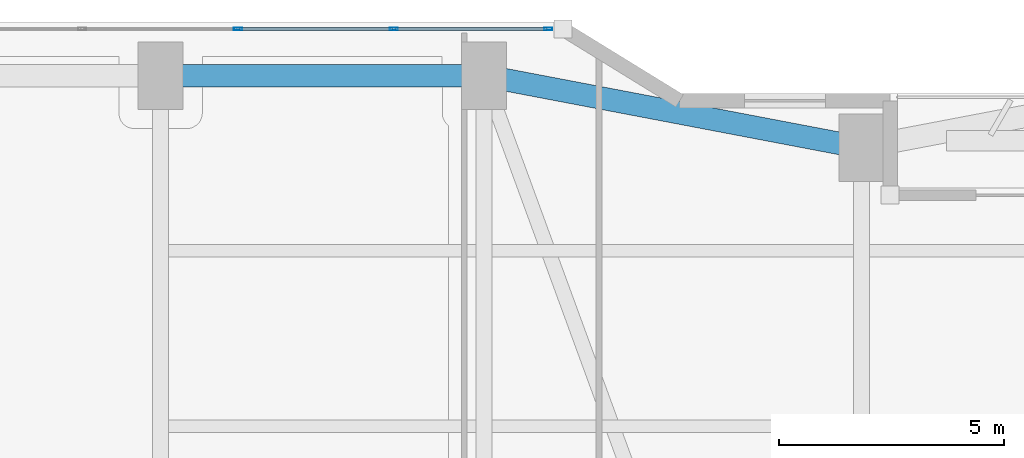
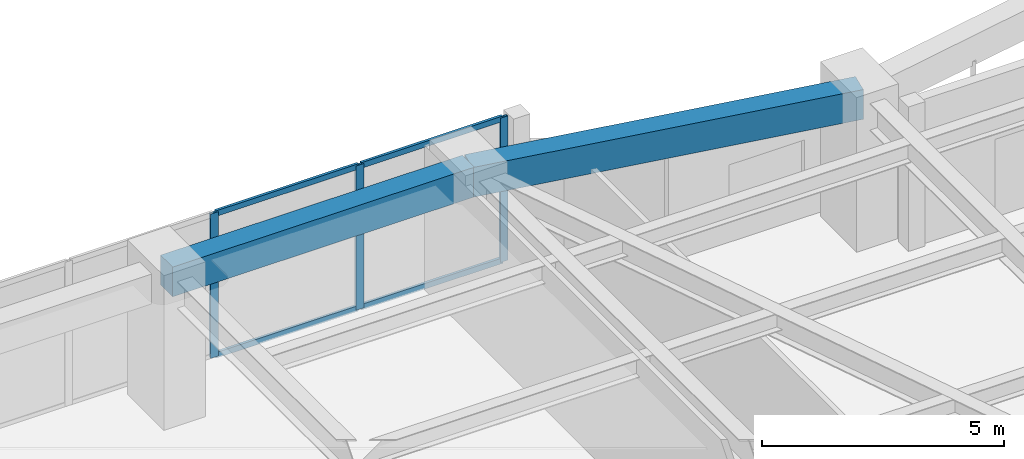
# One storey, part 17 of 29: 7 members, 2 beams, 1 element without a shape of its own.
"""IFC4 building model written with IfcOpenShell, lengths in metres."""

from ifc_helpers import new_model, si_unit, direction, frame, origin, origin_2d, place, context, subcontext, project, spatial, rectangle, hollow_rectangle, extrude, material, layer, layer_set, material_profile, profile_set, type_object, element, aggregate, save


model = new_model("IFC4")

# Units and contexts
model_context = context("Model", 3, precision=1e-05, world=origin(), true_north=direction((0.0, 1.0)))
body_context = subcontext(model_context, "Body", "Model", "MODEL_VIEW")
ifc_project = project(units=[si_unit("LENGTHUNIT", "METRE"), si_unit("AREAUNIT", "SQUARE_METRE"), si_unit("VOLUMEUNIT", "CUBIC_METRE"), si_unit("PLANEANGLEUNIT", "RADIAN"), si_unit("MASSUNIT", "GRAM", prefix="KILO")], contexts=[model_context])

# Site, building, storey
site_placement = place(None, origin())
site = spatial("IfcSite", under=ifc_project, at=site_placement, CompositionType="ELEMENT")
building_placement = place(site_placement, origin())
building = spatial("IfcBuilding", under=site, at=building_placement, Name="Kiyonajd Concourse Tower", CompositionType="ELEMENT")
storey_placement = place(building_placement, frame((0.0, 0.0, 45.0)))
storey = spatial("IfcBuildingStorey", under=building, at=storey_placement, Name="L12", CompositionType="ELEMENT", Elevation=45.0)

# Beams
ifc_material_1 = material(Name="Precast concrete C50/60", Category="concrete")
ifc_material_profile_1 = material_profile(ifc_material_1, rectangle(XDim=0.5, YDim=0.75, at=origin_2d()), Name="RCBM-500x750")
ifc_profile_set_1 = profile_set([ifc_material_profile_1], Name="Precast concrete C50/60")
beam_type = type_object("IfcBeamType", Name="BM-SPAN-RC", PredefinedType="SPANDREL", material=ifc_profile_set_1)
beam_1_placement = place(storey_placement, frame((48.0, 59.60009765625, 3.264892578125), z_axis=(-0.982341315253, 0.187097675953, 0.0), x_axis=(-0.187097675953, -0.982341315253, 0.0)))
element("IfcBeam", 1, at=beam_1_placement, inside=storey, type_object=beam_type, Name="L12 Perimeter Bundled Tube Spandrel", PredefinedType="SPANDREL", context=body_context, shape_type="SweptSolid", body=[
    extrude(rectangle(XDim=0.5, YDim=0.75, at=origin_2d()), origin(), (0.0, 0.0, 1.0), 8.55078125),
])
beam_2_placement = place(storey_placement, frame((39.60009765625, 61.199951171875, 3.264892578125), z_axis=(-1.0, 0.0, 0.0), x_axis=(0.0, -1.0, 0.0)))
element("IfcBeam", 2, at=beam_2_placement, inside=storey, type_object=beam_type, Name="L12 Perimeter Bundled Tube Spandrel", PredefinedType="SPANDREL", context=body_context, shape_type="SweptSolid", body=[
    extrude(rectangle(XDim=0.5, YDim=0.75, at=origin_2d()), origin(), (0.0, 0.0, 1.0), 7.2001953125),
])

# Curtain wall, members
ifc_material_2 = material(Name="Thermally Broken Anodised Aluminium", Category="aluminium")
ifc_layer = layer(ifc_material_2, 0.179931640625)
ifc_layer_set = layer_set([ifc_layer], Name="Thermally Broken Anodised Aluminium")
curtain_wall_type = type_object("IfcCurtainWallType", Name="CW-SYS-02", PredefinedType="NOTDEFINED", material=ifc_layer_set)
curtain_wall_placement = place(storey_placement, origin())
curtain_wall = element("IfcCurtainWall", 3, at=curtain_wall_placement, inside=storey, type_object=curtain_wall_type, Name="L12 Unitised Curtain Wall CW2", PredefinedType="NOTDEFINED")
ifc_material_profile_2 = material_profile(ifc_material_2, hollow_rectangle(XDim=0.06494140625, YDim=0.179931640625, WallThickness=0.00390625, at=origin_2d()), Name="MULL-65x180")
ifc_profile_set_2 = profile_set([ifc_material_profile_2], Name="Thermally Broken Anodised Aluminium")
member_type_1 = type_object("IfcMemberType", Name="MB-CW-MULL1", PredefinedType="MULLION", material=ifc_profile_set_2)
member_1_placement = place(storey_placement, frame((34.123291015625, 62.239990234375, 0.0), z_axis=(0.0, 0.0, 1.0), x_axis=(0.0, 1.0, 0.0)))
member_1 = element("IfcMember", 4, at=member_1_placement, type_object=member_type_1, Name="CW2 mullion 4", PredefinedType="MULLION", context=body_context, shape_type="SweptSolid", body=[
    extrude(hollow_rectangle(XDim=0.06494140625, YDim=0.179931640625, WallThickness=0.00390625, at=origin_2d()), origin(), (0.0, 0.0, 1.0), 3.639892578125),
])
member_2_placement = place(storey_placement, frame((37.593994140625, 62.239990234375, 0.0), z_axis=(0.0, 0.0, 1.0), x_axis=(0.0, 1.0, 0.0)))
member_2 = element("IfcMember", 5, at=member_2_placement, type_object=member_type_1, Name="CW2 mullion 5", PredefinedType="MULLION", context=body_context, shape_type="SweptSolid", body=[
    extrude(hollow_rectangle(XDim=0.06494140625, YDim=0.179931640625, WallThickness=0.00390625, at=origin_2d()), origin(), (0.0, 0.0, 1.0), 3.639892578125),
])
member_3_placement = place(storey_placement, frame((41.0322265625, 62.239990234375, 0.0), z_axis=(0.0, 0.0, 1.0), x_axis=(0.0, 1.0, 0.0)))
member_3 = element("IfcMember", 6, at=member_3_placement, type_object=member_type_1, Name="CW2 mullion 6", PredefinedType="MULLION", context=body_context, shape_type="SweptSolid", body=[
    extrude(hollow_rectangle(XDim=0.06494140625, YDim=0.179931640625, WallThickness=0.00390625, at=origin_2d()), origin(), (0.0, 0.0, 1.0), 3.639892578125),
])
ifc_material_profile_3 = material_profile(ifc_material_2, hollow_rectangle(XDim=0.06494140625, YDim=0.139892578125, WallThickness=0.00390625, at=origin_2d()), Name="TRAN-65x140")
ifc_profile_set_3 = profile_set([ifc_material_profile_3], Name="Thermally Broken Anodised Aluminium")
member_type_2 = type_object("IfcMemberType", Name="MB-CW-TRAN1", PredefinedType="USERDEFINED", material=ifc_profile_set_3)
member_4_placement = place(storey_placement, frame((34.15576171875, 62.239990234375, 0.032470703125), z_axis=(1.0, 0.0, 0.0), x_axis=(0.0, 1.0, 0.0)))
member_4 = element("IfcMember", 7, at=member_4_placement, type_object=member_type_2, Name="CW2 transom 4.1", ObjectType="TRANSOM", PredefinedType="USERDEFINED", context=body_context, shape_type="SweptSolid", body=[
    extrude(hollow_rectangle(XDim=0.06494140625, YDim=0.139892578125, WallThickness=0.00390625, at=origin_2d()), origin(), (0.0, 0.0, 1.0), 3.40576171875),
])
member_5_placement = place(storey_placement, frame((34.15576171875, 62.239990234375, 3.607421875), z_axis=(1.0, 0.0, 0.0), x_axis=(0.0, 1.0, 0.0)))
member_5 = element("IfcMember", 8, at=member_5_placement, type_object=member_type_2, Name="CW2 transom 4.2", ObjectType="TRANSOM", PredefinedType="USERDEFINED", context=body_context, shape_type="SweptSolid", body=[
    extrude(hollow_rectangle(XDim=0.06494140625, YDim=0.139892578125, WallThickness=0.00390625, at=origin_2d()), origin(), (0.0, 0.0, 1.0), 3.40576171875),
])
member_6_placement = place(storey_placement, frame((37.62646484375, 62.239990234375, 0.032470703125), z_axis=(1.0, 0.0, 0.0), x_axis=(0.0, 1.0, 0.0)))
member_6 = element("IfcMember", 9, at=member_6_placement, type_object=member_type_2, Name="CW2 transom 5.1", ObjectType="TRANSOM", PredefinedType="USERDEFINED", context=body_context, shape_type="SweptSolid", body=[
    extrude(hollow_rectangle(XDim=0.06494140625, YDim=0.139892578125, WallThickness=0.00390625, at=origin_2d()), origin(), (0.0, 0.0, 1.0), 3.373291015625),
])
member_7_placement = place(storey_placement, frame((37.62646484375, 62.239990234375, 3.607421875), z_axis=(1.0, 0.0, 0.0), x_axis=(0.0, 1.0, 0.0)))
member_7 = element("IfcMember", 10, at=member_7_placement, type_object=member_type_2, Name="CW2 transom 5.2", ObjectType="TRANSOM", PredefinedType="USERDEFINED", context=body_context, shape_type="SweptSolid", body=[
    extrude(hollow_rectangle(XDim=0.06494140625, YDim=0.139892578125, WallThickness=0.00390625, at=origin_2d()), origin(), (0.0, 0.0, 1.0), 3.373291015625),
])
aggregate(curtain_wall, [member_1, member_2, member_3, member_4, member_5, member_6, member_7])

save(model, "model.ifc")
